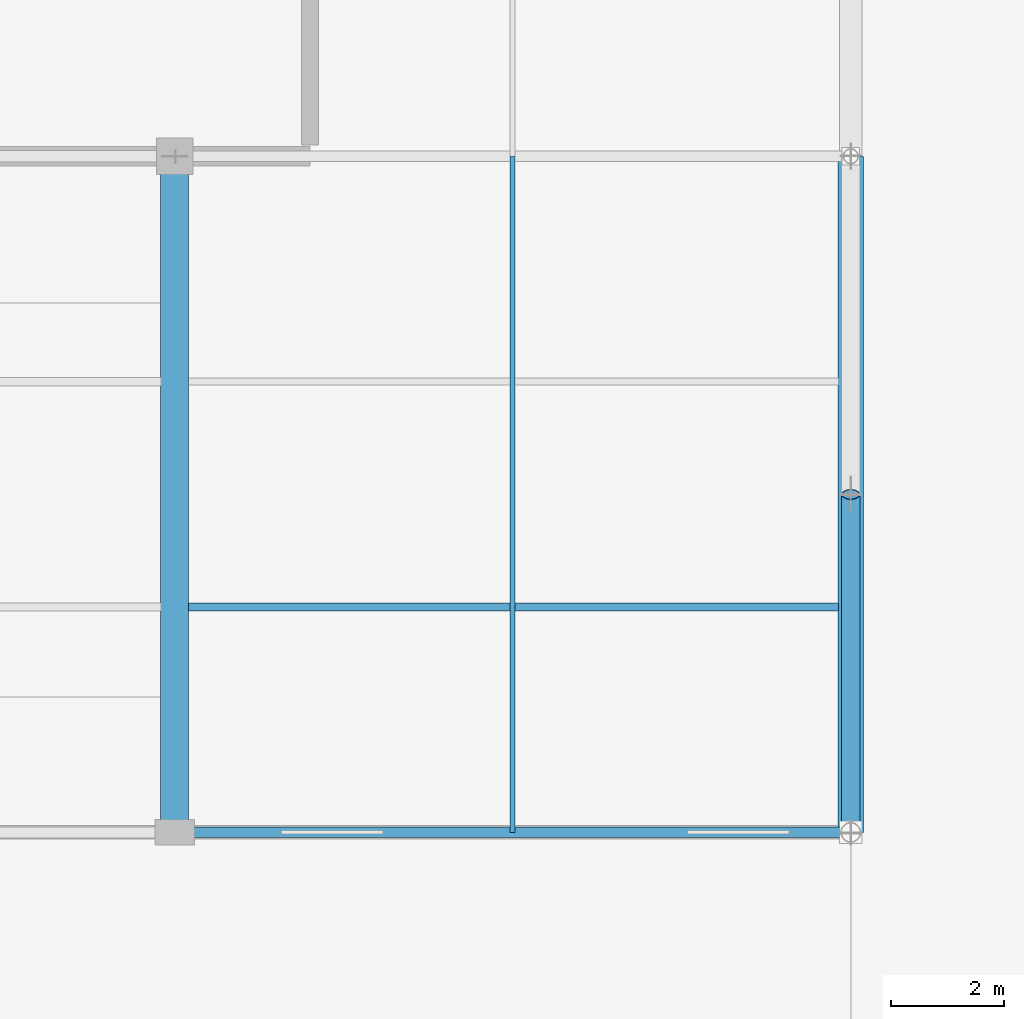
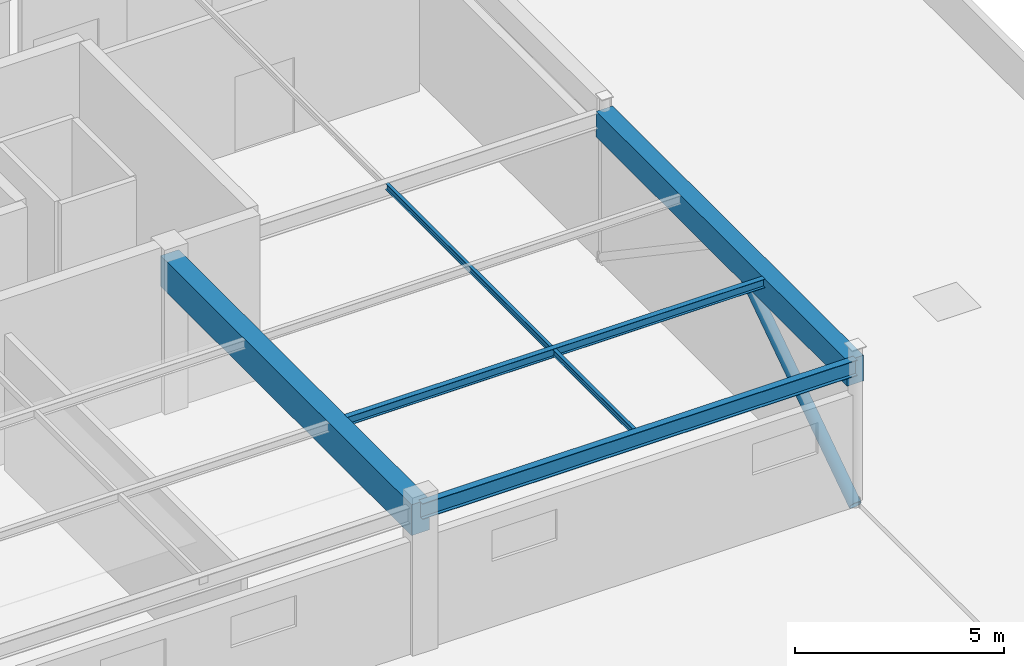
# One storey, part 58 of 186: 4 beams, 2 members.
"""IFC4 building model written with IfcOpenShell, lengths in metres."""

from ifc_helpers import new_model, si_unit, direction, frame, origin, origin_2d, place, context, subcontext, project, spatial, rectangle, hollow_circle, i_section, extrude, material, material_profile, profile_set, type_object, element, save


model = new_model("IFC4")

# Units and contexts
model_context = context("Model", 3, precision=1e-05, world=origin(), true_north=direction((0.0, 1.0)))
body_context = subcontext(model_context, "Body", "Model", "MODEL_VIEW")
ifc_project = project(units=[si_unit("LENGTHUNIT", "METRE"), si_unit("AREAUNIT", "SQUARE_METRE"), si_unit("VOLUMEUNIT", "CUBIC_METRE"), si_unit("PLANEANGLEUNIT", "RADIAN"), si_unit("MASSUNIT", "GRAM", prefix="KILO")], contexts=[model_context])

# Site, building, storey
site_placement = place(None, origin())
site = spatial("IfcSite", under=ifc_project, at=site_placement, CompositionType="ELEMENT")
building_placement = place(site_placement, origin())
building = spatial("IfcBuilding", under=site, at=building_placement, Name="Tarnwether General Hospital", CompositionType="ELEMENT")
storey_placement = place(building_placement, frame((0.0, 0.0, 9.60009765625)))
storey = spatial("IfcBuildingStorey", under=building, at=storey_placement, Name="L02", CompositionType="ELEMENT", Elevation=9.60009765625)

# Beams
ifc_material_1 = material(Name="Steel Grade 350 (350 MPa)", Category="steel")
ifc_material_profile_1 = material_profile(ifc_material_1, i_section(OverallWidth=0.18994140625, OverallDepth=0.45703125, WebThickness=0.009033203125, FlangeThickness=0.014404296875, at=origin_2d()), Name="460UB74.6")
ifc_profile_set_1 = profile_set([ifc_material_profile_1], Name="Steel Grade 350 (350 MPa)")
beam_type_1 = type_object("IfcBeamType", Name="BM-G09", PredefinedType="BEAM", material=ifc_profile_set_1)
beam_1_placement = place(storey_placement, frame((36.0, 57.60009765625, 4.201416015625), z_axis=(1.0, 0.0, 0.0), x_axis=(0.0, 1.0, 0.0)))
element("IfcBeam", 1, at=beam_1_placement, inside=storey, type_object=beam_type_1, Name="Primary Girder BMG-L02-3600_5760-4800_5760-1467", PredefinedType="BEAM", context=body_context, shape_type="SweptSolid", body=[
    extrude(i_section(OverallWidth=0.18994140625, OverallDepth=0.45703125, WebThickness=0.009033203125, FlangeThickness=0.014404296875, at=origin_2d()), origin(), (0.0, 0.0, 1.0), 12.0),
])
ifc_material_2 = material(Name="Concrete 40 MPa", Category="concrete")
ifc_material_profile_2 = material_profile(ifc_material_2, rectangle(XDim=0.5, YDim=0.89990234375, at=origin_2d()), Name="RC-BM-500x900")
ifc_profile_set_2 = profile_set([ifc_material_profile_2], Name="Concrete 40 MPa")
beam_type_2 = type_object("IfcBeamType", Name="BM-G12", PredefinedType="BEAM", material=ifc_profile_set_2)
beam_2_placement = place(storey_placement, frame((36.0, 57.60009765625, 3.97998046875), z_axis=(0.0, 1.0, 0.0), x_axis=(-1.0, 0.0, 0.0)))
element("IfcBeam", 2, at=beam_2_placement, inside=storey, type_object=beam_type_2, Name="Primary Girder BMG-L02-3600_5760-3600_6960-1468", PredefinedType="BEAM", context=body_context, shape_type="SweptSolid", body=[
    extrude(rectangle(XDim=0.5, YDim=0.89990234375, at=origin_2d()), origin(), (0.0, 0.0, 1.0), 12.0),
])
ifc_material_3 = material(Name="Concrete 40 MPa", Category="concrete")
ifc_material_profile_3 = material_profile(ifc_material_3, rectangle(XDim=0.449951171875, YDim=0.75, at=origin_2d()), Name="RC-BM-450x750")
ifc_profile_set_3 = profile_set([ifc_material_profile_3], Name="Concrete 40 MPa")
beam_type_3 = type_object("IfcBeamType", Name="BM-G13", PredefinedType="BEAM", material=ifc_profile_set_3)
beam_3_placement = place(storey_placement, frame((48.0, 57.60009765625, 4.054931640625), z_axis=(0.0, 1.0, 0.0), x_axis=(-1.0, 0.0, 0.0)))
element("IfcBeam", 3, at=beam_3_placement, inside=storey, type_object=beam_type_3, Name="Primary Girder BMG-L02-4800_5760-4800_6960-1476", PredefinedType="BEAM", context=body_context, shape_type="SweptSolid", body=[
    extrude(rectangle(XDim=0.449951171875, YDim=0.75, at=origin_2d()), origin(), (0.0, 0.0, 1.0), 12.0),
])
ifc_material_4 = material(Name="Steel Grade 350 (350 MPa)", Category="steel")
ifc_material_profile_4 = material_profile(ifc_material_4, i_section(OverallWidth=0.14599609375, OverallDepth=0.251953125, WebThickness=0.006103515625, FlangeThickness=0.008544921875, at=origin_2d()), Name="250UB31.4")
ifc_profile_set_4 = profile_set([ifc_material_profile_4], Name="Steel Grade 350 (350 MPa)")
beam_type_4 = type_object("IfcBeamType", Name="BM-J10", PredefinedType="JOIST", material=ifc_profile_set_4)
beam_4_placement = place(storey_placement, frame((36.243896484375, 61.60009765625, 4.303955078125), z_axis=(1.0, 0.0, 0.0), x_axis=(0.0, 1.0, 0.0)))
element("IfcBeam", 4, at=beam_4_placement, inside=storey, type_object=beam_type_4, Name="Composite Floor Joist BMG-L02-3624_6160-4778_6160-1666", PredefinedType="JOIST", context=body_context, shape_type="SweptSolid", body=[
    extrude(i_section(OverallWidth=0.14599609375, OverallDepth=0.251953125, WebThickness=0.006103515625, FlangeThickness=0.008544921875, at=origin_2d()), origin(), (0.0, 0.0, 1.0), 11.537109375),
])

# Members
ifc_material_5 = material(Name="Steel Grade C350L0 (350 MPa)", Category="steel")
ifc_material_profile_5 = material_profile(ifc_material_5, hollow_circle(Radius=0.161865234375, WallThickness=0.0126953125, at=origin_2d()), Name="CHS323.9x12.7")
ifc_profile_set_5 = profile_set([ifc_material_profile_5], Name="Steel Grade C350L0 (350 MPa)")
member_type_1 = type_object("IfcMemberType", Name="MB-BR1", PredefinedType="BRACE", material=ifc_profile_set_5)
member_1_placement = place(storey_placement, frame((48.0, 57.60009765625, 0.139892578125), z_axis=(0.0, 0.828845546207, 0.559477488852), x_axis=(-1.0, 0.0, 0.0)))
element("IfcMember", 5, at=member_1_placement, inside=storey, type_object=member_type_1, Name="Braced Frame Diagonal 021", PredefinedType="BRACE", context=body_context, shape_type="SweptSolid", body=[
    extrude(hollow_circle(Radius=0.161865234375, WallThickness=0.0126953125, at=origin_2d()), origin(), (0.0, 0.0, 1.0), 7.239013671875),
])
ifc_material_6 = material(Name="Steel Grade 350 (350 MPa)", Category="steel")
ifc_material_profile_6 = material_profile(ifc_material_6, i_section(OverallWidth=0.090087890625, OverallDepth=0.178955078125, WebThickness=0.006103515625, FlangeThickness=0.010986328125, at=origin_2d()), Name="180UB22.2")
ifc_profile_set_6 = profile_set([ifc_material_profile_6], Name="Steel Grade 350 (350 MPa)")
member_type_2 = type_object("IfcMemberType", Name="MB-PR4", PredefinedType="PURLIN", material=ifc_profile_set_6)
member_2_placement = place(storey_placement, frame((42.0, 57.60009765625, 4.27978515625), z_axis=(0.0, 1.0, 0.0), x_axis=(-1.0, 0.0, 0.0)))
element("IfcMember", 6, at=member_2_placement, inside=storey, type_object=member_type_2, Name="Operating Suite Ceiling Purlin 023", PredefinedType="PURLIN", context=body_context, shape_type="SweptSolid", body=[
    extrude(i_section(OverallWidth=0.090087890625, OverallDepth=0.178955078125, WebThickness=0.006103515625, FlangeThickness=0.010986328125, at=origin_2d()), origin(), (0.0, 0.0, 1.0), 12.0),
])

save(model, "model.ifc")
